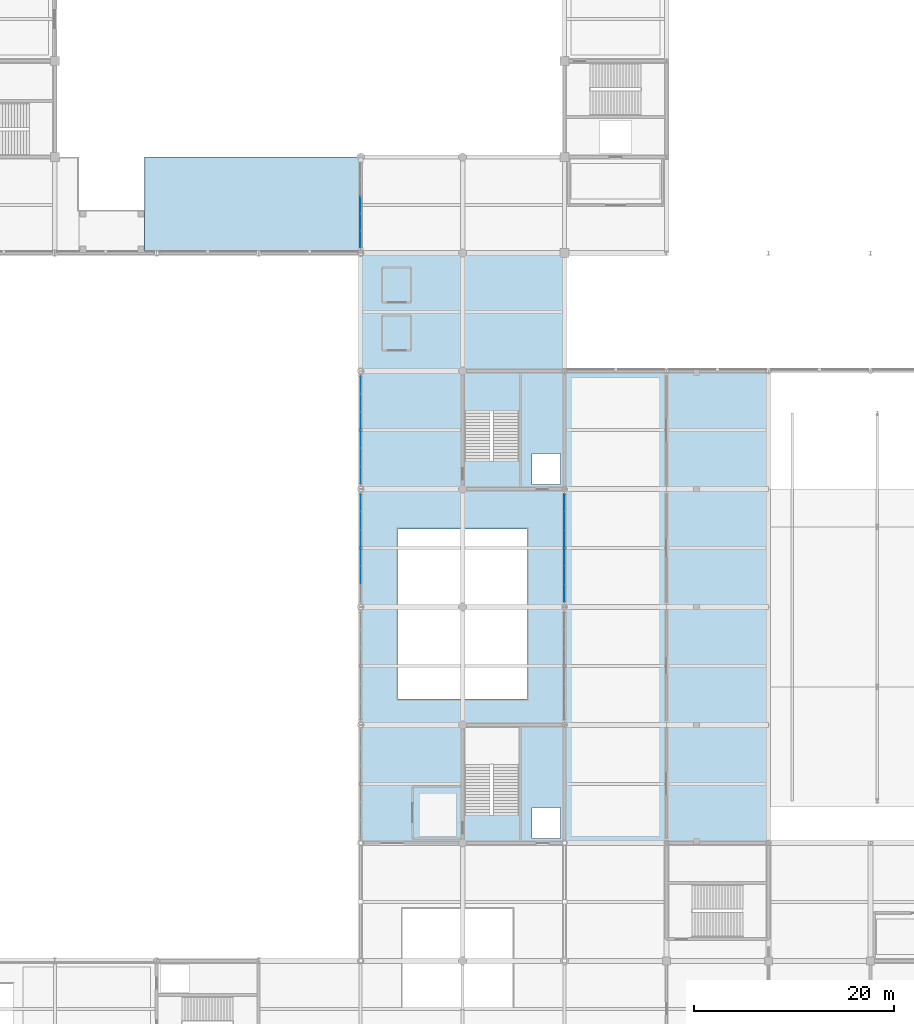
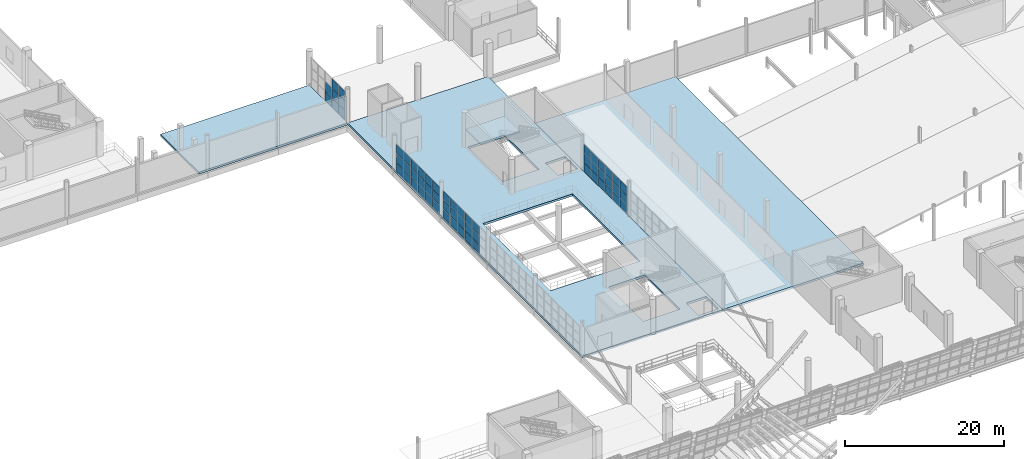
# One storey, part 117 of 175: 59 plates, 4 slabs, 5 elements without a shape of their own.
"""IFC4 building model written with IfcOpenShell, lengths in metres."""

from ifc_helpers import new_model, si_unit, direction, frame, origin, origin_2d, place, context, subcontext, project, spatial, polyline, rectangle, outline, extrude, material, layer, layer_set, type_object, element, aggregate, save


model = new_model("IFC4")

# Units and contexts
model_context = context("Model", 3, precision=1e-05, world=origin(), true_north=direction((0.0, 1.0)))
body_context = subcontext(model_context, "Body", "Model", "MODEL_VIEW")
ifc_project = project(units=[si_unit("LENGTHUNIT", "METRE"), si_unit("AREAUNIT", "SQUARE_METRE"), si_unit("VOLUMEUNIT", "CUBIC_METRE"), si_unit("PLANEANGLEUNIT", "RADIAN"), si_unit("MASSUNIT", "GRAM", prefix="KILO")], contexts=[model_context])

# Site, building, storey
site_placement = place(None, origin())
site = spatial("IfcSite", under=ifc_project, at=site_placement, CompositionType="ELEMENT")
building_placement = place(site_placement, origin())
building = spatial("IfcBuilding", under=site, at=building_placement, Name="Brelvane Convention Centre", CompositionType="ELEMENT")
storey_placement = place(building_placement, frame((0.0, 0.0, 5.39990234375)))
storey = spatial("IfcBuildingStorey", under=building, at=storey_placement, Name="L01", CompositionType="ELEMENT", Elevation=5.39990234375)

# Curtain wall, plates
ifc_material_1 = material(Name="Anodised Aluminium Alloy 6063-T6", Category="aluminium")
curtain_wall_type_1 = type_object("IfcCurtainWallType", Name="Curtain Wall CW-CONC", PredefinedType="USERDEFINED", material=ifc_material_1)
curtain_wall_1_placement = place(storey_placement, origin())
curtain_wall_1 = element("IfcCurtainWall", 1, at=curtain_wall_1_placement, inside=storey, type_object=curtain_wall_type_1, Name="Curtain Wall CW-CONC L01-GAL-ATRIUM-W-3", ObjectType="UNITISED", PredefinedType="USERDEFINED")
ifc_material_2 = material(Name="Double Glazed Low-E Laminated Unit")
ifc_layer_1 = layer(ifc_material_2, 0.031982421875)
ifc_layer_set_1 = layer_set([ifc_layer_1], Name="Double Glazed Low-E Laminated Unit")
plate_type_1 = type_object("IfcPlateType", Name="Curtain Panel CW-PG1", PredefinedType="CURTAIN_PANEL", material=ifc_layer_set_1)
plate_1_placement = place(storey_placement, frame((142.800048828125, 67.375, 0.06005859375), z_axis=(0.0, 0.0, 1.0), x_axis=(0.0, 1.0, 0.0)))
plate_1 = element("IfcPlate", 2, at=plate_1_placement, type_object=plate_type_1, Name="CW-CONC panel 2.1", PredefinedType="CURTAIN_PANEL", context=body_context, shape_type="SweptSolid", body=[
    extrude(rectangle(XDim=1.751708984375, YDim=0.031982421875, at=origin_2d()), origin(), (0.0, 0.0, 1.0), 1.32666015625),
])
plate_2_placement = place(storey_placement, frame((142.800048828125, 67.375, 1.44677734375), z_axis=(0.0, 0.0, 1.0), x_axis=(0.0, 1.0, 0.0)))
plate_2 = element("IfcPlate", 3, at=plate_2_placement, type_object=plate_type_1, Name="CW-CONC panel 2.2", PredefinedType="CURTAIN_PANEL", context=body_context, shape_type="SweptSolid", body=[
    extrude(rectangle(XDim=1.751708984375, YDim=0.031982421875, at=origin_2d()), origin(), (0.0, 0.0, 1.0), 1.356689453125),
])
plate_3_placement = place(storey_placement, frame((142.800048828125, 67.375, 2.863525390625), z_axis=(0.0, 0.0, 1.0), x_axis=(0.0, 1.0, 0.0)))
plate_3 = element("IfcPlate", 4, at=plate_3_placement, type_object=plate_type_1, Name="CW-CONC panel 2.3", PredefinedType="CURTAIN_PANEL", context=body_context, shape_type="SweptSolid", body=[
    extrude(rectangle(XDim=1.751708984375, YDim=0.031982421875, at=origin_2d()), origin(), (0.0, 0.0, 1.0), 1.32666015625),
])
plate_4_placement = place(storey_placement, frame((142.800048828125, 69.191650390625, 0.06005859375), z_axis=(0.0, 0.0, 1.0), x_axis=(0.0, 1.0, 0.0)))
plate_4 = element("IfcPlate", 5, at=plate_4_placement, type_object=plate_type_1, Name="CW-CONC panel 3.1", PredefinedType="CURTAIN_PANEL", context=body_context, shape_type="SweptSolid", body=[
    extrude(rectangle(XDim=1.751708984375, YDim=0.031982421875, at=origin_2d()), origin(), (0.0, 0.0, 1.0), 1.32666015625),
])
plate_5_placement = place(storey_placement, frame((142.800048828125, 69.191650390625, 1.44677734375), z_axis=(0.0, 0.0, 1.0), x_axis=(0.0, 1.0, 0.0)))
plate_5 = element("IfcPlate", 6, at=plate_5_placement, type_object=plate_type_1, Name="CW-CONC panel 3.2", PredefinedType="CURTAIN_PANEL", context=body_context, shape_type="SweptSolid", body=[
    extrude(rectangle(XDim=1.751708984375, YDim=0.031982421875, at=origin_2d()), origin(), (0.0, 0.0, 1.0), 1.356689453125),
])
plate_6_placement = place(storey_placement, frame((142.800048828125, 69.191650390625, 2.863525390625), z_axis=(0.0, 0.0, 1.0), x_axis=(0.0, 1.0, 0.0)))
plate_6 = element("IfcPlate", 7, at=plate_6_placement, type_object=plate_type_1, Name="CW-CONC panel 3.3", PredefinedType="CURTAIN_PANEL", context=body_context, shape_type="SweptSolid", body=[
    extrude(rectangle(XDim=1.751708984375, YDim=0.031982421875, at=origin_2d()), origin(), (0.0, 0.0, 1.0), 1.32666015625),
])
plate_7_placement = place(storey_placement, frame((142.800048828125, 71.00830078125, 0.06005859375), z_axis=(0.0, 0.0, 1.0), x_axis=(0.0, 1.0, 0.0)))
plate_7 = element("IfcPlate", 8, at=plate_7_placement, type_object=plate_type_1, Name="CW-CONC panel 4.1", PredefinedType="CURTAIN_PANEL", context=body_context, shape_type="SweptSolid", body=[
    extrude(rectangle(XDim=1.751708984375, YDim=0.031982421875, at=origin_2d()), origin(), (0.0, 0.0, 1.0), 1.32666015625),
])
plate_8_placement = place(storey_placement, frame((142.800048828125, 71.00830078125, 1.44677734375), z_axis=(0.0, 0.0, 1.0), x_axis=(0.0, 1.0, 0.0)))
plate_8 = element("IfcPlate", 9, at=plate_8_placement, type_object=plate_type_1, Name="CW-CONC panel 4.2", PredefinedType="CURTAIN_PANEL", context=body_context, shape_type="SweptSolid", body=[
    extrude(rectangle(XDim=1.751708984375, YDim=0.031982421875, at=origin_2d()), origin(), (0.0, 0.0, 1.0), 1.356689453125),
])
plate_9_placement = place(storey_placement, frame((142.800048828125, 71.00830078125, 2.863525390625), z_axis=(0.0, 0.0, 1.0), x_axis=(0.0, 1.0, 0.0)))
plate_9 = element("IfcPlate", 10, at=plate_9_placement, type_object=plate_type_1, Name="CW-CONC panel 4.3", PredefinedType="CURTAIN_PANEL", context=body_context, shape_type="SweptSolid", body=[
    extrude(rectangle(XDim=1.751708984375, YDim=0.031982421875, at=origin_2d()), origin(), (0.0, 0.0, 1.0), 1.32666015625),
])
plate_10_placement = place(storey_placement, frame((142.800048828125, 72.824951171875, 0.06005859375), z_axis=(0.0, 0.0, 1.0), x_axis=(0.0, 1.0, 0.0)))
plate_10 = element("IfcPlate", 11, at=plate_10_placement, type_object=plate_type_1, Name="CW-CONC panel 5.1", PredefinedType="CURTAIN_PANEL", context=body_context, shape_type="SweptSolid", body=[
    extrude(rectangle(XDim=1.751708984375, YDim=0.031982421875, at=origin_2d()), origin(), (0.0, 0.0, 1.0), 1.32666015625),
])
plate_11_placement = place(storey_placement, frame((142.800048828125, 72.824951171875, 1.44677734375), z_axis=(0.0, 0.0, 1.0), x_axis=(0.0, 1.0, 0.0)))
plate_11 = element("IfcPlate", 12, at=plate_11_placement, type_object=plate_type_1, Name="CW-CONC panel 5.2", PredefinedType="CURTAIN_PANEL", context=body_context, shape_type="SweptSolid", body=[
    extrude(rectangle(XDim=1.751708984375, YDim=0.031982421875, at=origin_2d()), origin(), (0.0, 0.0, 1.0), 1.356689453125),
])
plate_12_placement = place(storey_placement, frame((142.800048828125, 72.824951171875, 2.863525390625), z_axis=(0.0, 0.0, 1.0), x_axis=(0.0, 1.0, 0.0)))
plate_12 = element("IfcPlate", 13, at=plate_12_placement, type_object=plate_type_1, Name="CW-CONC panel 5.3", PredefinedType="CURTAIN_PANEL", context=body_context, shape_type="SweptSolid", body=[
    extrude(rectangle(XDim=1.751708984375, YDim=0.031982421875, at=origin_2d()), origin(), (0.0, 0.0, 1.0), 1.32666015625),
])
plate_13_placement = place(storey_placement, frame((142.800048828125, 74.62548828125, 0.06005859375), z_axis=(0.0, 0.0, 1.0), x_axis=(0.0, 1.0, 0.0)))
plate_13 = element("IfcPlate", 14, at=plate_13_placement, type_object=plate_type_1, Name="CW-CONC panel 6.1", PredefinedType="CURTAIN_PANEL", context=body_context, shape_type="SweptSolid", body=[
    extrude(rectangle(XDim=1.71923828125, YDim=0.031982421875, at=origin_2d()), origin(), (0.0, 0.0, 1.0), 1.32666015625),
])
plate_14_placement = place(storey_placement, frame((142.800048828125, 74.62548828125, 1.44677734375), z_axis=(0.0, 0.0, 1.0), x_axis=(0.0, 1.0, 0.0)))
plate_14 = element("IfcPlate", 15, at=plate_14_placement, type_object=plate_type_1, Name="CW-CONC panel 6.2", PredefinedType="CURTAIN_PANEL", context=body_context, shape_type="SweptSolid", body=[
    extrude(rectangle(XDim=1.71923828125, YDim=0.031982421875, at=origin_2d()), origin(), (0.0, 0.0, 1.0), 1.356689453125),
])
plate_15_placement = place(storey_placement, frame((142.800048828125, 74.62548828125, 2.863525390625), z_axis=(0.0, 0.0, 1.0), x_axis=(0.0, 1.0, 0.0)))
plate_15 = element("IfcPlate", 16, at=plate_15_placement, type_object=plate_type_1, Name="CW-CONC panel 6.3", PredefinedType="CURTAIN_PANEL", context=body_context, shape_type="SweptSolid", body=[
    extrude(rectangle(XDim=1.71923828125, YDim=0.031982421875, at=origin_2d()), origin(), (0.0, 0.0, 1.0), 1.32666015625),
])
aggregate(curtain_wall_1, [plate_1, plate_2, plate_3, plate_4, plate_5, plate_6, plate_7, plate_8, plate_9, plate_10, plate_11, plate_12, plate_13, plate_14, plate_15])

curtain_wall_2_placement = place(storey_placement, origin())
curtain_wall_2 = element("IfcCurtainWall", 17, at=curtain_wall_2_placement, inside=storey, type_object=curtain_wall_type_1, Name="Curtain Wall CW-CONC L01-GAL-ATRIUM-W-4", ObjectType="UNITISED", PredefinedType="USERDEFINED")
plate_16_placement = place(storey_placement, frame((142.800048828125, 77.37451171875, 0.06005859375), z_axis=(0.0, 0.0, 1.0), x_axis=(0.0, 1.0, 0.0)))
plate_16 = element("IfcPlate", 18, at=plate_16_placement, type_object=plate_type_1, Name="CW-CONC panel 1.1", PredefinedType="CURTAIN_PANEL", context=body_context, shape_type="SweptSolid", body=[
    extrude(rectangle(XDim=1.71923828125, YDim=0.031982421875, at=origin_2d()), origin(), (0.0, 0.0, 1.0), 1.32666015625),
])
plate_17_placement = place(storey_placement, frame((142.800048828125, 77.37451171875, 1.44677734375), z_axis=(0.0, 0.0, 1.0), x_axis=(0.0, 1.0, 0.0)))
plate_17 = element("IfcPlate", 19, at=plate_17_placement, type_object=plate_type_1, Name="CW-CONC panel 1.2", PredefinedType="CURTAIN_PANEL", context=body_context, shape_type="SweptSolid", body=[
    extrude(rectangle(XDim=1.71923828125, YDim=0.031982421875, at=origin_2d()), origin(), (0.0, 0.0, 1.0), 1.356689453125),
])
plate_18_placement = place(storey_placement, frame((142.800048828125, 77.37451171875, 2.863525390625), z_axis=(0.0, 0.0, 1.0), x_axis=(0.0, 1.0, 0.0)))
plate_18 = element("IfcPlate", 20, at=plate_18_placement, type_object=plate_type_1, Name="CW-CONC panel 1.3", PredefinedType="CURTAIN_PANEL", context=body_context, shape_type="SweptSolid", body=[
    extrude(rectangle(XDim=1.71923828125, YDim=0.031982421875, at=origin_2d()), origin(), (0.0, 0.0, 1.0), 1.32666015625),
])
plate_19_placement = place(storey_placement, frame((142.800048828125, 79.175048828125, 0.06005859375), z_axis=(0.0, 0.0, 1.0), x_axis=(0.0, 1.0, 0.0)))
plate_19 = element("IfcPlate", 21, at=plate_19_placement, type_object=plate_type_1, Name="CW-CONC panel 2.1", PredefinedType="CURTAIN_PANEL", context=body_context, shape_type="SweptSolid", body=[
    extrude(rectangle(XDim=1.751708984375, YDim=0.031982421875, at=origin_2d()), origin(), (0.0, 0.0, 1.0), 1.32666015625),
])
plate_20_placement = place(storey_placement, frame((142.800048828125, 79.175048828125, 1.44677734375), z_axis=(0.0, 0.0, 1.0), x_axis=(0.0, 1.0, 0.0)))
plate_20 = element("IfcPlate", 22, at=plate_20_placement, type_object=plate_type_1, Name="CW-CONC panel 2.2", PredefinedType="CURTAIN_PANEL", context=body_context, shape_type="SweptSolid", body=[
    extrude(rectangle(XDim=1.751708984375, YDim=0.031982421875, at=origin_2d()), origin(), (0.0, 0.0, 1.0), 1.356689453125),
])
plate_21_placement = place(storey_placement, frame((142.800048828125, 79.175048828125, 2.863525390625), z_axis=(0.0, 0.0, 1.0), x_axis=(0.0, 1.0, 0.0)))
plate_21 = element("IfcPlate", 23, at=plate_21_placement, type_object=plate_type_1, Name="CW-CONC panel 2.3", PredefinedType="CURTAIN_PANEL", context=body_context, shape_type="SweptSolid", body=[
    extrude(rectangle(XDim=1.751708984375, YDim=0.031982421875, at=origin_2d()), origin(), (0.0, 0.0, 1.0), 1.32666015625),
])
plate_22_placement = place(storey_placement, frame((142.800048828125, 80.99169921875, 0.06005859375), z_axis=(0.0, 0.0, 1.0), x_axis=(0.0, 1.0, 0.0)))
plate_22 = element("IfcPlate", 24, at=plate_22_placement, type_object=plate_type_1, Name="CW-CONC panel 3.1", PredefinedType="CURTAIN_PANEL", context=body_context, shape_type="SweptSolid", body=[
    extrude(rectangle(XDim=1.751708984375, YDim=0.031982421875, at=origin_2d()), origin(), (0.0, 0.0, 1.0), 1.32666015625),
])
plate_23_placement = place(storey_placement, frame((142.800048828125, 80.99169921875, 1.44677734375), z_axis=(0.0, 0.0, 1.0), x_axis=(0.0, 1.0, 0.0)))
plate_23 = element("IfcPlate", 25, at=plate_23_placement, type_object=plate_type_1, Name="CW-CONC panel 3.2", PredefinedType="CURTAIN_PANEL", context=body_context, shape_type="SweptSolid", body=[
    extrude(rectangle(XDim=1.751708984375, YDim=0.031982421875, at=origin_2d()), origin(), (0.0, 0.0, 1.0), 1.356689453125),
])
plate_24_placement = place(storey_placement, frame((142.800048828125, 80.99169921875, 2.863525390625), z_axis=(0.0, 0.0, 1.0), x_axis=(0.0, 1.0, 0.0)))
plate_24 = element("IfcPlate", 26, at=plate_24_placement, type_object=plate_type_1, Name="CW-CONC panel 3.3", PredefinedType="CURTAIN_PANEL", context=body_context, shape_type="SweptSolid", body=[
    extrude(rectangle(XDim=1.751708984375, YDim=0.031982421875, at=origin_2d()), origin(), (0.0, 0.0, 1.0), 1.32666015625),
])
plate_25_placement = place(storey_placement, frame((142.800048828125, 82.808349609375, 0.06005859375), z_axis=(0.0, 0.0, 1.0), x_axis=(0.0, 1.0, 0.0)))
plate_25 = element("IfcPlate", 27, at=plate_25_placement, type_object=plate_type_1, Name="CW-CONC panel 4.1", PredefinedType="CURTAIN_PANEL", context=body_context, shape_type="SweptSolid", body=[
    extrude(rectangle(XDim=1.751708984375, YDim=0.031982421875, at=origin_2d()), origin(), (0.0, 0.0, 1.0), 1.32666015625),
])
plate_26_placement = place(storey_placement, frame((142.800048828125, 82.808349609375, 1.44677734375), z_axis=(0.0, 0.0, 1.0), x_axis=(0.0, 1.0, 0.0)))
plate_26 = element("IfcPlate", 28, at=plate_26_placement, type_object=plate_type_1, Name="CW-CONC panel 4.2", PredefinedType="CURTAIN_PANEL", context=body_context, shape_type="SweptSolid", body=[
    extrude(rectangle(XDim=1.751708984375, YDim=0.031982421875, at=origin_2d()), origin(), (0.0, 0.0, 1.0), 1.356689453125),
])
plate_27_placement = place(storey_placement, frame((142.800048828125, 82.808349609375, 2.863525390625), z_axis=(0.0, 0.0, 1.0), x_axis=(0.0, 1.0, 0.0)))
plate_27 = element("IfcPlate", 29, at=plate_27_placement, type_object=plate_type_1, Name="CW-CONC panel 4.3", PredefinedType="CURTAIN_PANEL", context=body_context, shape_type="SweptSolid", body=[
    extrude(rectangle(XDim=1.751708984375, YDim=0.031982421875, at=origin_2d()), origin(), (0.0, 0.0, 1.0), 1.32666015625),
])
plate_28_placement = place(storey_placement, frame((142.800048828125, 84.625, 0.06005859375), z_axis=(0.0, 0.0, 1.0), x_axis=(0.0, 1.0, 0.0)))
plate_28 = element("IfcPlate", 30, at=plate_28_placement, type_object=plate_type_1, Name="CW-CONC panel 5.1", PredefinedType="CURTAIN_PANEL", context=body_context, shape_type="SweptSolid", body=[
    extrude(rectangle(XDim=1.751708984375, YDim=0.031982421875, at=origin_2d()), origin(), (0.0, 0.0, 1.0), 1.32666015625),
])
plate_29_placement = place(storey_placement, frame((142.800048828125, 84.625, 1.44677734375), z_axis=(0.0, 0.0, 1.0), x_axis=(0.0, 1.0, 0.0)))
plate_29 = element("IfcPlate", 31, at=plate_29_placement, type_object=plate_type_1, Name="CW-CONC panel 5.2", PredefinedType="CURTAIN_PANEL", context=body_context, shape_type="SweptSolid", body=[
    extrude(rectangle(XDim=1.751708984375, YDim=0.031982421875, at=origin_2d()), origin(), (0.0, 0.0, 1.0), 1.356689453125),
])
plate_30_placement = place(storey_placement, frame((142.800048828125, 84.625, 2.863525390625), z_axis=(0.0, 0.0, 1.0), x_axis=(0.0, 1.0, 0.0)))
plate_30 = element("IfcPlate", 32, at=plate_30_placement, type_object=plate_type_1, Name="CW-CONC panel 5.3", PredefinedType="CURTAIN_PANEL", context=body_context, shape_type="SweptSolid", body=[
    extrude(rectangle(XDim=1.751708984375, YDim=0.031982421875, at=origin_2d()), origin(), (0.0, 0.0, 1.0), 1.32666015625),
])
plate_31_placement = place(storey_placement, frame((142.800048828125, 86.425537109375, 0.06005859375), z_axis=(0.0, 0.0, 1.0), x_axis=(0.0, 1.0, 0.0)))
plate_31 = element("IfcPlate", 33, at=plate_31_placement, type_object=plate_type_1, Name="CW-CONC panel 6.1", PredefinedType="CURTAIN_PANEL", context=body_context, shape_type="SweptSolid", body=[
    extrude(rectangle(XDim=1.71923828125, YDim=0.031982421875, at=origin_2d()), origin(), (0.0, 0.0, 1.0), 1.32666015625),
])
plate_32_placement = place(storey_placement, frame((142.800048828125, 86.425537109375, 1.44677734375), z_axis=(0.0, 0.0, 1.0), x_axis=(0.0, 1.0, 0.0)))
plate_32 = element("IfcPlate", 34, at=plate_32_placement, type_object=plate_type_1, Name="CW-CONC panel 6.2", PredefinedType="CURTAIN_PANEL", context=body_context, shape_type="SweptSolid", body=[
    extrude(rectangle(XDim=1.71923828125, YDim=0.031982421875, at=origin_2d()), origin(), (0.0, 0.0, 1.0), 1.356689453125),
])
plate_33_placement = place(storey_placement, frame((142.800048828125, 86.425537109375, 2.863525390625), z_axis=(0.0, 0.0, 1.0), x_axis=(0.0, 1.0, 0.0)))
plate_33 = element("IfcPlate", 35, at=plate_33_placement, type_object=plate_type_1, Name="CW-CONC panel 6.3", PredefinedType="CURTAIN_PANEL", context=body_context, shape_type="SweptSolid", body=[
    extrude(rectangle(XDim=1.71923828125, YDim=0.031982421875, at=origin_2d()), origin(), (0.0, 0.0, 1.0), 1.32666015625),
])
aggregate(curtain_wall_2, [plate_16, plate_17, plate_18, plate_19, plate_20, plate_21, plate_22, plate_23, plate_24, plate_25, plate_26, plate_27, plate_28, plate_29, plate_30, plate_31, plate_32, plate_33])

curtain_wall_3_placement = place(storey_placement, origin())
curtain_wall_3 = element("IfcCurtainWall", 36, at=curtain_wall_3_placement, inside=storey, type_object=curtain_wall_type_1, Name="Curtain Wall CW-CONC L01-GAL-ATRIUM-E-3", ObjectType="UNITISED", PredefinedType="USERDEFINED")
ifc_material_3 = material(Name="Double Glazed Low-E Laminated Unit")
ifc_layer_2 = layer(ifc_material_3, 0.0380859375)
ifc_layer_set_2 = layer_set([ifc_layer_2], Name="Double Glazed Low-E Laminated Unit")
plate_type_2 = type_object("IfcPlateType", Name="Curtain Panel CW-PG2", PredefinedType="CURTAIN_PANEL", material=ifc_layer_set_2)
plate_34_placement = place(storey_placement, frame((163.199951171875, 65.574462890625, 0.06005859375), z_axis=(0.0, 0.0, 1.0), x_axis=(0.0, 1.0, 0.0)))
plate_34 = element("IfcPlate", 37, at=plate_34_placement, type_object=plate_type_2, Name="CW-CONC panel 1.1", PredefinedType="CURTAIN_PANEL", context=body_context, shape_type="SweptSolid", body=[
    extrude(rectangle(XDim=1.71923828125, YDim=0.0380859375, at=origin_2d()), origin(), (0.0, 0.0, 1.0), 1.32666015625),
])
plate_35_placement = place(storey_placement, frame((163.199951171875, 65.574462890625, 1.44677734375), z_axis=(0.0, 0.0, 1.0), x_axis=(0.0, 1.0, 0.0)))
plate_35 = element("IfcPlate", 38, at=plate_35_placement, type_object=plate_type_2, Name="CW-CONC panel 1.2", PredefinedType="CURTAIN_PANEL", context=body_context, shape_type="SweptSolid", body=[
    extrude(rectangle(XDim=1.71923828125, YDim=0.0380859375, at=origin_2d()), origin(), (0.0, 0.0, 1.0), 1.356689453125),
])
plate_36_placement = place(storey_placement, frame((163.199951171875, 65.574462890625, 2.863525390625), z_axis=(0.0, 0.0, 1.0), x_axis=(0.0, 1.0, 0.0)))
plate_36 = element("IfcPlate", 39, at=plate_36_placement, type_object=plate_type_2, Name="CW-CONC panel 1.3", PredefinedType="CURTAIN_PANEL", context=body_context, shape_type="SweptSolid", body=[
    extrude(rectangle(XDim=1.71923828125, YDim=0.0380859375, at=origin_2d()), origin(), (0.0, 0.0, 1.0), 1.32666015625),
])
plate_37_placement = place(storey_placement, frame((163.199951171875, 67.375, 0.06005859375), z_axis=(0.0, 0.0, 1.0), x_axis=(0.0, 1.0, 0.0)))
plate_37 = element("IfcPlate", 40, at=plate_37_placement, type_object=plate_type_2, Name="CW-CONC panel 2.1", PredefinedType="CURTAIN_PANEL", context=body_context, shape_type="SweptSolid", body=[
    extrude(rectangle(XDim=1.751708984375, YDim=0.0380859375, at=origin_2d()), origin(), (0.0, 0.0, 1.0), 1.32666015625),
])
plate_38_placement = place(storey_placement, frame((163.199951171875, 67.375, 1.44677734375), z_axis=(0.0, 0.0, 1.0), x_axis=(0.0, 1.0, 0.0)))
plate_38 = element("IfcPlate", 41, at=plate_38_placement, type_object=plate_type_2, Name="CW-CONC panel 2.2", PredefinedType="CURTAIN_PANEL", context=body_context, shape_type="SweptSolid", body=[
    extrude(rectangle(XDim=1.751708984375, YDim=0.0380859375, at=origin_2d()), origin(), (0.0, 0.0, 1.0), 1.356689453125),
])
plate_39_placement = place(storey_placement, frame((163.199951171875, 67.375, 2.863525390625), z_axis=(0.0, 0.0, 1.0), x_axis=(0.0, 1.0, 0.0)))
plate_39 = element("IfcPlate", 42, at=plate_39_placement, type_object=plate_type_2, Name="CW-CONC panel 2.3", PredefinedType="CURTAIN_PANEL", context=body_context, shape_type="SweptSolid", body=[
    extrude(rectangle(XDim=1.751708984375, YDim=0.0380859375, at=origin_2d()), origin(), (0.0, 0.0, 1.0), 1.32666015625),
])
plate_40_placement = place(storey_placement, frame((163.199951171875, 69.191650390625, 0.06005859375), z_axis=(0.0, 0.0, 1.0), x_axis=(0.0, 1.0, 0.0)))
plate_40 = element("IfcPlate", 43, at=plate_40_placement, type_object=plate_type_2, Name="CW-CONC panel 3.1", PredefinedType="CURTAIN_PANEL", context=body_context, shape_type="SweptSolid", body=[
    extrude(rectangle(XDim=1.751708984375, YDim=0.0380859375, at=origin_2d()), origin(), (0.0, 0.0, 1.0), 1.32666015625),
])
plate_41_placement = place(storey_placement, frame((163.199951171875, 69.191650390625, 1.44677734375), z_axis=(0.0, 0.0, 1.0), x_axis=(0.0, 1.0, 0.0)))
plate_41 = element("IfcPlate", 44, at=plate_41_placement, type_object=plate_type_2, Name="CW-CONC panel 3.2", PredefinedType="CURTAIN_PANEL", context=body_context, shape_type="SweptSolid", body=[
    extrude(rectangle(XDim=1.751708984375, YDim=0.0380859375, at=origin_2d()), origin(), (0.0, 0.0, 1.0), 1.356689453125),
])
plate_42_placement = place(storey_placement, frame((163.199951171875, 69.191650390625, 2.863525390625), z_axis=(0.0, 0.0, 1.0), x_axis=(0.0, 1.0, 0.0)))
plate_42 = element("IfcPlate", 45, at=plate_42_placement, type_object=plate_type_2, Name="CW-CONC panel 3.3", PredefinedType="CURTAIN_PANEL", context=body_context, shape_type="SweptSolid", body=[
    extrude(rectangle(XDim=1.751708984375, YDim=0.0380859375, at=origin_2d()), origin(), (0.0, 0.0, 1.0), 1.32666015625),
])
plate_43_placement = place(storey_placement, frame((163.199951171875, 71.00830078125, 0.06005859375), z_axis=(0.0, 0.0, 1.0), x_axis=(0.0, 1.0, 0.0)))
plate_43 = element("IfcPlate", 46, at=plate_43_placement, type_object=plate_type_2, Name="CW-CONC panel 4.1", PredefinedType="CURTAIN_PANEL", context=body_context, shape_type="SweptSolid", body=[
    extrude(rectangle(XDim=1.751708984375, YDim=0.0380859375, at=origin_2d()), origin(), (0.0, 0.0, 1.0), 1.32666015625),
])
plate_44_placement = place(storey_placement, frame((163.199951171875, 71.00830078125, 1.44677734375), z_axis=(0.0, 0.0, 1.0), x_axis=(0.0, 1.0, 0.0)))
plate_44 = element("IfcPlate", 47, at=plate_44_placement, type_object=plate_type_2, Name="CW-CONC panel 4.2", PredefinedType="CURTAIN_PANEL", context=body_context, shape_type="SweptSolid", body=[
    extrude(rectangle(XDim=1.751708984375, YDim=0.0380859375, at=origin_2d()), origin(), (0.0, 0.0, 1.0), 1.356689453125),
])
plate_45_placement = place(storey_placement, frame((163.199951171875, 71.00830078125, 2.863525390625), z_axis=(0.0, 0.0, 1.0), x_axis=(0.0, 1.0, 0.0)))
plate_45 = element("IfcPlate", 48, at=plate_45_placement, type_object=plate_type_2, Name="CW-CONC panel 4.3", PredefinedType="CURTAIN_PANEL", context=body_context, shape_type="SweptSolid", body=[
    extrude(rectangle(XDim=1.751708984375, YDim=0.0380859375, at=origin_2d()), origin(), (0.0, 0.0, 1.0), 1.32666015625),
])
plate_46_placement = place(storey_placement, frame((163.199951171875, 72.824951171875, 0.06005859375), z_axis=(0.0, 0.0, 1.0), x_axis=(0.0, 1.0, 0.0)))
plate_46 = element("IfcPlate", 49, at=plate_46_placement, type_object=plate_type_2, Name="CW-CONC panel 5.1", PredefinedType="CURTAIN_PANEL", context=body_context, shape_type="SweptSolid", body=[
    extrude(rectangle(XDim=1.751708984375, YDim=0.0380859375, at=origin_2d()), origin(), (0.0, 0.0, 1.0), 1.32666015625),
])
plate_47_placement = place(storey_placement, frame((163.199951171875, 72.824951171875, 1.44677734375), z_axis=(0.0, 0.0, 1.0), x_axis=(0.0, 1.0, 0.0)))
plate_47 = element("IfcPlate", 50, at=plate_47_placement, type_object=plate_type_2, Name="CW-CONC panel 5.2", PredefinedType="CURTAIN_PANEL", context=body_context, shape_type="SweptSolid", body=[
    extrude(rectangle(XDim=1.751708984375, YDim=0.0380859375, at=origin_2d()), origin(), (0.0, 0.0, 1.0), 1.356689453125),
])
plate_48_placement = place(storey_placement, frame((163.199951171875, 72.824951171875, 2.863525390625), z_axis=(0.0, 0.0, 1.0), x_axis=(0.0, 1.0, 0.0)))
plate_48 = element("IfcPlate", 51, at=plate_48_placement, type_object=plate_type_2, Name="CW-CONC panel 5.3", PredefinedType="CURTAIN_PANEL", context=body_context, shape_type="SweptSolid", body=[
    extrude(rectangle(XDim=1.751708984375, YDim=0.0380859375, at=origin_2d()), origin(), (0.0, 0.0, 1.0), 1.32666015625),
])
plate_49_placement = place(storey_placement, frame((163.199951171875, 74.62548828125, 0.06005859375), z_axis=(0.0, 0.0, 1.0), x_axis=(0.0, 1.0, 0.0)))
plate_49 = element("IfcPlate", 52, at=plate_49_placement, type_object=plate_type_2, Name="CW-CONC panel 6.1", PredefinedType="CURTAIN_PANEL", context=body_context, shape_type="SweptSolid", body=[
    extrude(rectangle(XDim=1.71923828125, YDim=0.0380859375, at=origin_2d()), origin(), (0.0, 0.0, 1.0), 1.32666015625),
])
plate_50_placement = place(storey_placement, frame((163.199951171875, 74.62548828125, 1.44677734375), z_axis=(0.0, 0.0, 1.0), x_axis=(0.0, 1.0, 0.0)))
plate_50 = element("IfcPlate", 53, at=plate_50_placement, type_object=plate_type_2, Name="CW-CONC panel 6.2", PredefinedType="CURTAIN_PANEL", context=body_context, shape_type="SweptSolid", body=[
    extrude(rectangle(XDim=1.71923828125, YDim=0.0380859375, at=origin_2d()), origin(), (0.0, 0.0, 1.0), 1.356689453125),
])
plate_51_placement = place(storey_placement, frame((163.199951171875, 74.62548828125, 2.863525390625), z_axis=(0.0, 0.0, 1.0), x_axis=(0.0, 1.0, 0.0)))
plate_51 = element("IfcPlate", 54, at=plate_51_placement, type_object=plate_type_2, Name="CW-CONC panel 6.3", PredefinedType="CURTAIN_PANEL", context=body_context, shape_type="SweptSolid", body=[
    extrude(rectangle(XDim=1.71923828125, YDim=0.0380859375, at=origin_2d()), origin(), (0.0, 0.0, 1.0), 1.32666015625),
])
aggregate(curtain_wall_3, [plate_34, plate_35, plate_36, plate_37, plate_38, plate_39, plate_40, plate_41, plate_42, plate_43, plate_44, plate_45, plate_46, plate_47, plate_48, plate_49, plate_50, plate_51])

ifc_material_4 = material(Name="Anodised Aluminium Alloy 6063-T6", Category="aluminium")
curtain_wall_type_2 = type_object("IfcCurtainWallType", Name="Curtain Wall CW-PAV", PredefinedType="USERDEFINED", material=ifc_material_4)
curtain_wall_4_placement = place(storey_placement, origin())
curtain_wall_4 = element("IfcCurtainWall", 55, at=curtain_wall_4_placement, inside=storey, type_object=curtain_wall_type_2, Name="Curtain Wall CW-PAV L01-COURT-E-CW-L01", ObjectType="UNITISED", PredefinedType="USERDEFINED")
ifc_material_5 = material(Name="Double Glazed Low-E Laminated Unit")
ifc_layer_3 = layer(ifc_material_5, 0.0439453125)
ifc_layer_set_3 = layer_set([ifc_layer_3], Name="Double Glazed Low-E Laminated Unit")
plate_type_3 = type_object("IfcPlateType", Name="Curtain Panel CW-PG3", PredefinedType="CURTAIN_PANEL", material=ifc_layer_set_3)
plate_52_placement = place(storey_placement, frame((142.800048828125, 100.976318359375, 0.06005859375), z_axis=(0.0, 0.0, 1.0), x_axis=(0.0, 1.0, 0.0)))
plate_52 = element("IfcPlate", 56, at=plate_52_placement, type_object=plate_type_3, Name="CW-PAV panel 1.1", PredefinedType="CURTAIN_PANEL", context=body_context, shape_type="SweptSolid", body=[
    extrude(rectangle(XDim=1.62255859375, YDim=0.0439453125, at=origin_2d()), origin(), (0.0, 0.0, 1.0), 1.409912109375),
])
plate_53_placement = place(storey_placement, frame((142.800048828125, 100.976318359375, 1.530029296875), z_axis=(0.0, 0.0, 1.0), x_axis=(0.0, 1.0, 0.0)))
plate_53 = element("IfcPlate", 57, at=plate_53_placement, type_object=plate_type_3, Name="CW-PAV panel 1.2", PredefinedType="CURTAIN_PANEL", context=body_context, shape_type="SweptSolid", body=[
    extrude(rectangle(XDim=1.62255859375, YDim=0.0439453125, at=origin_2d()), origin(), (0.0, 0.0, 1.0), 1.43994140625),
])
plate_54_placement = place(storey_placement, frame((142.800048828125, 100.976318359375, 3.0302734375), z_axis=(0.0, 0.0, 1.0), x_axis=(0.0, 1.0, 0.0)))
plate_54 = element("IfcPlate", 58, at=plate_54_placement, type_object=plate_type_3, Name="CW-PAV panel 1.3", PredefinedType="CURTAIN_PANEL", context=body_context, shape_type="SweptSolid", body=[
    extrude(rectangle(XDim=1.62255859375, YDim=0.0439453125, at=origin_2d()), origin(), (0.0, 0.0, 1.0), 1.409912109375),
])
plate_55_placement = place(storey_placement, frame((142.800048828125, 102.679931640625, 0.06005859375), z_axis=(0.0, 0.0, 1.0), x_axis=(0.0, 1.0, 0.0)))
plate_55 = element("IfcPlate", 59, at=plate_55_placement, type_object=plate_type_3, Name="CW-PAV panel 2.1", PredefinedType="CURTAIN_PANEL", context=body_context, shape_type="SweptSolid", body=[
    extrude(rectangle(XDim=1.655029296875, YDim=0.0439453125, at=origin_2d()), origin(), (0.0, 0.0, 1.0), 1.409912109375),
])
plate_56_placement = place(storey_placement, frame((142.800048828125, 102.679931640625, 1.530029296875), z_axis=(0.0, 0.0, 1.0), x_axis=(0.0, 1.0, 0.0)))
plate_56 = element("IfcPlate", 60, at=plate_56_placement, type_object=plate_type_3, Name="CW-PAV panel 2.2", PredefinedType="CURTAIN_PANEL", context=body_context, shape_type="SweptSolid", body=[
    extrude(rectangle(XDim=1.655029296875, YDim=0.0439453125, at=origin_2d()), origin(), (0.0, 0.0, 1.0), 1.43994140625),
])
plate_57_placement = place(storey_placement, frame((142.800048828125, 102.679931640625, 3.0302734375), z_axis=(0.0, 0.0, 1.0), x_axis=(0.0, 1.0, 0.0)))
plate_57 = element("IfcPlate", 61, at=plate_57_placement, type_object=plate_type_3, Name="CW-PAV panel 2.3", PredefinedType="CURTAIN_PANEL", context=body_context, shape_type="SweptSolid", body=[
    extrude(rectangle(XDim=1.655029296875, YDim=0.0439453125, at=origin_2d()), origin(), (0.0, 0.0, 1.0), 1.409912109375),
])
plate_58_placement = place(storey_placement, frame((142.800048828125, 104.39990234375, 0.06005859375), z_axis=(0.0, 0.0, 1.0), x_axis=(0.0, 1.0, 0.0)))
plate_58 = element("IfcPlate", 62, at=plate_58_placement, type_object=plate_type_3, Name="CW-PAV panel 3.1", PredefinedType="CURTAIN_PANEL", context=body_context, shape_type="SweptSolid", body=[
    extrude(rectangle(XDim=1.655029296875, YDim=0.0439453125, at=origin_2d()), origin(), (0.0, 0.0, 1.0), 1.409912109375),
])
plate_59_placement = place(storey_placement, frame((142.800048828125, 104.39990234375, 1.530029296875), z_axis=(0.0, 0.0, 1.0), x_axis=(0.0, 1.0, 0.0)))
plate_59 = element("IfcPlate", 63, at=plate_59_placement, type_object=plate_type_3, Name="CW-PAV panel 3.2", PredefinedType="CURTAIN_PANEL", context=body_context, shape_type="SweptSolid", body=[
    extrude(rectangle(XDim=1.655029296875, YDim=0.0439453125, at=origin_2d()), origin(), (0.0, 0.0, 1.0), 1.43994140625),
])
aggregate(curtain_wall_4, [plate_52, plate_53, plate_54, plate_55, plate_56, plate_57, plate_58, plate_59])

# Stair, slab
ifc_material_6 = material(Name="Concrete M40", Category="concrete")
stair_type = type_object("IfcStairType", Name="Exit Stair ST-ASM", PredefinedType="HALF_TURN_STAIR", material=ifc_material_6)
stair_placement = place(storey_placement, origin())
stair = element("IfcStair", 64, at=stair_placement, inside=storey, type_object=stair_type, Name="Exit Stair ST-04 (L01 to L02)", PredefinedType="HALF_TURN_STAIR")
ifc_material_7 = material(Name="Concrete M40", Category="concrete")
ifc_layer_4 = layer(ifc_material_7, 0.219970703125)
ifc_layer_set_4 = layer_set([ifc_layer_4], Name="Concrete M40")
slab_type_1 = type_object("IfcSlabType", Name="Stair Landing SL-LND-220", PredefinedType="LANDING", material=ifc_layer_set_4)
slab_1_placement = place(storey_placement, frame((0.0, 0.0, 2.47998046875)))
slab_1 = element("IfcSlab", 65, at=slab_1_placement, type_object=slab_type_1, Name="Stair ST-04 L01 Half Landing", PredefinedType="LANDING", context=body_context, shape_type="SweptSolid", body=[
    extrude(outline(polyline([(153.080078125, 83.820068359375), (158.719970703125, 83.820068359375), (158.719970703125, 87.719970703125), (153.080078125, 87.719970703125), (153.080078125, 83.820068359375)])), origin(), (0.0, 0.0, 1.0), 0.22021484375),
])
aggregate(stair, [slab_1])

# Slabs
ifc_material_8 = material(Name="Concrete M40", Category="concrete")
ifc_layer_5 = layer(ifc_material_8, 0.320068359375)
ifc_layer_set_5 = layer_set([ifc_layer_5], Name="Concrete M40")
slab_type_2 = type_object("IfcSlabType", Name="Structural Slab SL-FLR-320", PredefinedType="FLOOR", material=ifc_layer_set_5)
slab_2_placement = place(storey_placement, frame((0.0, 0.0, -0.31982421875)))
element("IfcSlab", 66, at=slab_2_placement, inside=storey, type_object=slab_type_2, Name="L01 Floor Slab PLEN-STAGE", PredefinedType="FLOOR", context=body_context, shape_type="SweptSolid", body=[
    extrude(outline(polyline([(163.199951171875, 40.60009765625), (183.60009765625, 40.60009765625), (183.60009765625, 87.800048828125), (163.199951171875, 87.800048828125), (163.199951171875, 40.60009765625)])), origin(), (0.0, 0.0, 1.0), 0.31982421875),
])
slab_3_placement = place(storey_placement, frame((0.0, 0.0, -0.31982421875)))
element("IfcSlab", 67, at=slab_3_placement, inside=storey, type_object=slab_type_2, Name="L01 Floor Slab SYD-SE", PredefinedType="FLOOR", context=body_context, shape_type="SweptSolid", body=[
    extrude(outline(polyline([(121.199951171875, 99.60009765625), (142.800048828125, 99.60009765625), (142.800048828125, 109.199951171875), (121.199951171875, 109.199951171875), (121.199951171875, 99.60009765625)])), origin(), (0.0, 0.0, 1.0), 0.31982421875),
])
ifc_material_9 = material(Name="Concrete M40", Category="concrete")
ifc_layer_6 = layer(ifc_material_9, 0.330078125)
ifc_layer_set_6 = layer_set([ifc_layer_6], Name="Concrete M40")
slab_type_3 = type_object("IfcSlabType", Name="Structural Slab SL-FLR-330", PredefinedType="FLOOR", material=ifc_layer_set_6)
slab_4_placement = place(storey_placement, frame((0.0, 0.0, -0.329833984375)))
element("IfcSlab", 68, at=slab_4_placement, inside=storey, type_object=slab_type_3, Name="L01 SpineFlr Slab SPINE-M", PredefinedType="FLOOR", context=body_context, shape_type="SweptSolid", body=[
    extrude(outline(polyline([(142.800048828125, 40.60009765625), (163.199951171875, 40.60009765625), (163.199951171875, 99.60009765625), (142.800048828125, 99.60009765625), (142.800048828125, 40.60009765625)]), holes=[polyline([(153.25, 43.3798828125), (158.550048828125, 43.3798828125), (158.550048828125, 52.050048828125), (153.25, 52.050048828125), (153.25, 43.3798828125)]), polyline([(159.949951171875, 41.050048828125), (162.800048828125, 41.050048828125), (162.800048828125, 44.14990234375), (159.949951171875, 44.14990234375), (159.949951171875, 41.050048828125)]), polyline([(153.25, 78.780029296875), (158.550048828125, 78.780029296875), (158.550048828125, 87.449951171875), (153.25, 87.449951171875), (153.25, 78.780029296875)]), polyline([(159.949951171875, 76.449951171875), (162.800048828125, 76.449951171875), (162.800048828125, 79.550048828125), (159.949951171875, 79.550048828125), (159.949951171875, 76.449951171875)]), polyline([(146.5, 55.0), (159.5, 55.0), (159.5, 72.0), (146.5, 72.0), (146.5, 55.0)])]), origin(), (0.0, 0.0, 1.0), 0.329833984375),
])

save(model, "model.ifc")
